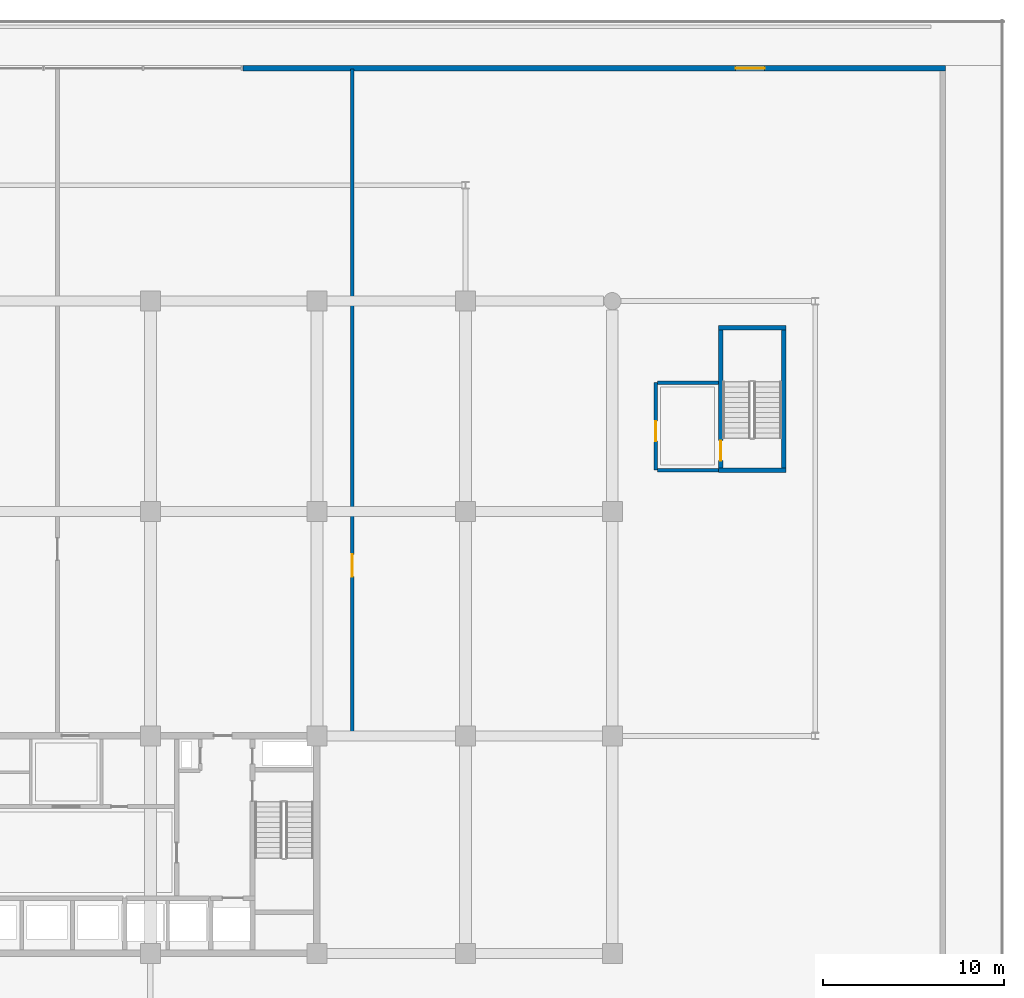
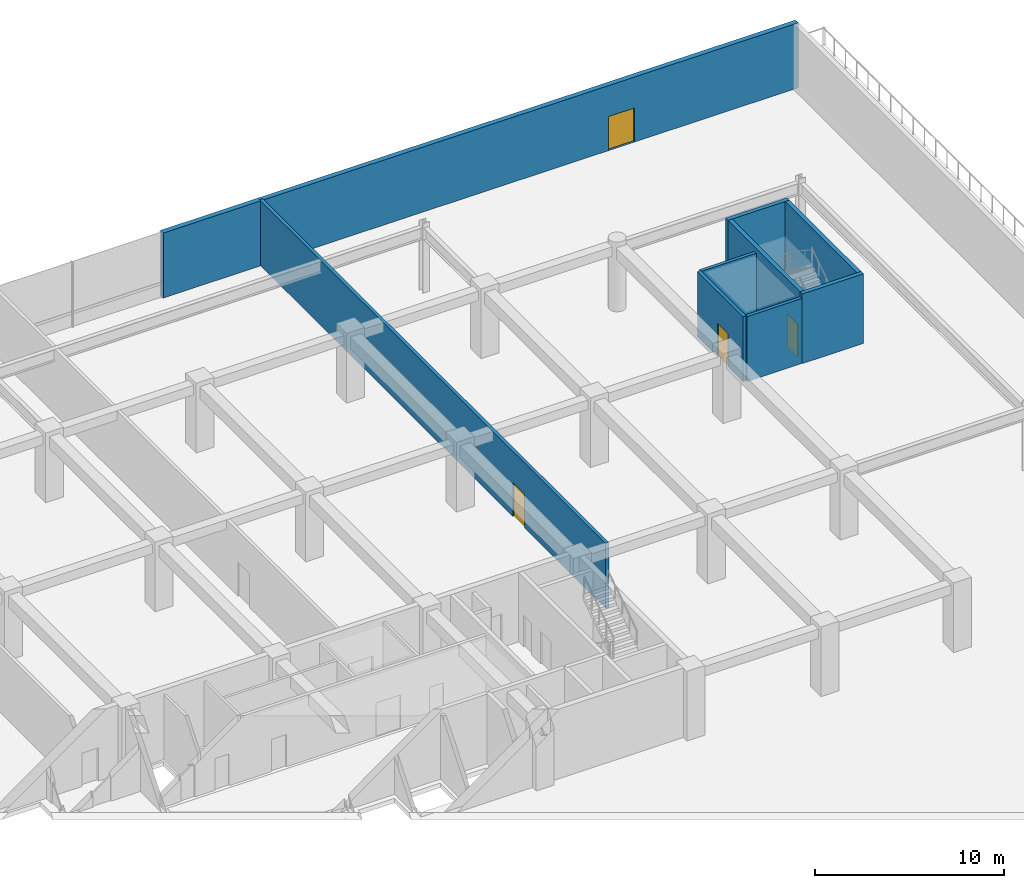
# One storey, part 29 of 43: 9 walls, 4 doors, 4 openings.
"""IFC4 building model written with IfcOpenShell, lengths in metres."""

from ifc_helpers import new_model, si_unit, direction, frame, frame_2d, origin, place, context, subcontext, project, spatial, rectangle, extrude, material, layer, layer_set, type_object, element, fill, save


model = new_model("IFC4")

# Units and contexts
model_context = context("Model", 3, precision=1e-05, world=origin(), true_north=direction((0.0, 1.0)))
body_context = subcontext(model_context, "Body", "Model", "MODEL_VIEW")
ifc_project = project(units=[si_unit("LENGTHUNIT", "METRE"), si_unit("AREAUNIT", "SQUARE_METRE"), si_unit("VOLUMEUNIT", "CUBIC_METRE"), si_unit("PLANEANGLEUNIT", "RADIAN"), si_unit("MASSUNIT", "GRAM", prefix="KILO")], contexts=[model_context])

# Site, building, storey
site_placement = place(None, origin())
site = spatial("IfcSite", under=ifc_project, at=site_placement, CompositionType="ELEMENT")
building_placement = place(site_placement, origin())
building = spatial("IfcBuilding", under=site, at=building_placement, Name="Korimba Cascade Residences", CompositionType="ELEMENT")
storey_placement = place(building_placement, frame((0.0, 0.0, 10.0)))
storey = spatial("IfcBuildingStorey", under=building, at=storey_placement, Name="L02", CompositionType="ELEMENT", Elevation=10.0)

# Wall, opening, door
ifc_material_1 = material(Name="Precast concrete C40/50", Category="concrete")
ifc_layer_1 = layer(ifc_material_1, 0.300048828125)
ifc_layer_set_1 = layer_set([ifc_layer_1], Name="Precast concrete C40/50")
wall_type_1 = type_object("IfcWallType", Name="EW-STONE-300", PredefinedType="STANDARD", material=ifc_layer_set_1)
wall_1_placement = place(storey_placement, frame((146.800048828125, 104.050048828125, 0.0), z_axis=(0.0, 0.0, 1.0), x_axis=(-1.0, 0.0, 0.0)))
wall_1 = element("IfcWall", 1, at=wall_1_placement, inside=storey, type_object=wall_type_1, Name="L02 North-East Podium Wall", PredefinedType="STANDARD", context=body_context, shape_type="SweptSolid", body=[
    extrude(rectangle(XDim=38.800048828125, YDim=0.300048828125, at=frame_2d((19.39990234375, 0.0))), origin(), (0.0, 0.0, 1.0), 4.199951171875),
])
opening_1_placement = place(wall_1_placement, frame((10.0, 0.0, 0.0)))
opening_1 = element("IfcOpeningElement", 2, at=opening_1_placement, cuts=wall_1, Name="Opening D-TR1", PredefinedType="OPENING", context=body_context, shape_type="SweptSolid", body=[
    extrude(rectangle(XDim=1.60009765625, YDim=2.199951171875, at=frame_2d((0.800048828125, 1.10009765625))), frame((0.0, 0.16015625, 0.0), z_axis=(0.0, -1.0, 0.0), x_axis=(1.0, 0.0, 0.0)), (0.0, 0.0, 1.0), 0.320068359375),
])
ifc_material_2 = material(Name="Glazed Aluminium Terrace Door", Category="aluminium")
door_type_1 = type_object("IfcDoorType", Name="DR-EXT-TER", OperationType="NOTDEFINED", PredefinedType="DOOR", material=ifc_material_2)
door_1_placement = place(opening_1_placement, frame((1.60009765625, 0.0, 0.0), z_axis=(0.0, 0.0, 1.0), x_axis=(-1.0, 0.0, 0.0)))
door_1 = element("IfcDoor", 3, at=door_1_placement, inside=storey, type_object=door_type_1, Name="L02 North Terrace Access Door", OperationType="DOUBLE_DOOR_SINGLE_SWING", OverallHeight=2.199951171875, OverallWidth=1.60009765625, PredefinedType="DOOR", context=body_context, shape_type="SweptSolid", body=[
    extrude(rectangle(XDim=1.60009765625, YDim=2.199951171875, at=frame_2d((0.800048828125, 1.10009765625))), frame((0.0, 0.02490234375, 0.0), z_axis=(0.0, -1.0, 0.0), x_axis=(1.0, 0.0, 0.0)), (0.0, 0.0, 1.0), 0.050048828125),
])
fill(opening_1, door_1)

ifc_material_3 = material(Name="Concrete C40/50", Category="concrete")
ifc_layer_2 = layer(ifc_material_3, 0.199951171875)
ifc_layer_set_2 = layer_set([ifc_layer_2], Name="Concrete C40/50")
wall_type_2 = type_object("IfcWallType", Name="WAL-PART-200", PredefinedType="PARTITIONING", material=ifc_layer_set_2)
wall_2_placement = place(storey_placement, frame((130.800048828125, 81.875, 0.0), z_axis=(0.0, 0.0, 1.0), x_axis=(0.0, 1.0, 0.0)))
wall_2 = element("IfcWall", 4, at=wall_2_placement, inside=storey, type_object=wall_type_2, Name="L02 Partition Wall CW-L02-PL4W", PredefinedType="PARTITIONING", context=body_context, shape_type="SweptSolid", body=[
    extrude(rectangle(XDim=4.824951171875, YDim=0.199951171875, at=frame_2d((2.41259765625, 0.0))), origin(), (0.0, 0.0, 1.0), 4.199951171875),
])
opening_2_placement = place(wall_2_placement, frame((1.60009765625, 0.0, 0.0)))
opening_2 = element("IfcOpeningElement", 5, at=opening_2_placement, cuts=wall_2, Name="Opening D-FD6", PredefinedType="OPENING", context=body_context, shape_type="SweptSolid", body=[
    extrude(rectangle(XDim=1.10009765625, YDim=2.14990234375, at=frame_2d((0.550048828125, 1.074951171875))), frame((0.0, 0.10986328125, 0.0), z_axis=(0.0, -1.0, 0.0), x_axis=(1.0, 0.0, 0.0)), (0.0, 0.0, 1.0), 0.219970703125),
])
ifc_material_4 = material(Name="Fire-Rated Timber Stair Lobby Door", Category="wood")
door_type_2 = type_object("IfcDoorType", Name="DR-FD90-1100", OperationType="NOTDEFINED", PredefinedType="DOOR", material=ifc_material_4)
door_2_placement = place(opening_2_placement, origin())
door_2 = element("IfcDoor", 6, at=door_2_placement, inside=storey, type_object=door_type_2, Name="L02 North-East Stair Vestibule Door", OperationType="SINGLE_SWING_LEFT", OverallHeight=2.14990234375, OverallWidth=1.10009765625, PredefinedType="DOOR", context=body_context, shape_type="SweptSolid", body=[
    extrude(rectangle(XDim=1.10009765625, YDim=2.14990234375, at=frame_2d((0.550048828125, 1.074951171875))), frame((0.0, 0.02490234375, 0.0), z_axis=(0.0, -1.0, 0.0), x_axis=(1.0, 0.0, 0.0)), (0.0, 0.0, 1.0), 0.050048828125),
])
fill(opening_2, door_2)

# Walls
for number, where, z_axis, x_axis, name in (
    (7, (130.89990234375, 81.875, 0.0), (0.0, 0.0, 1.0), (1.0, 0.0, 0.0), "L02 Partition Wall CW-L02-PL4S"),
    (8, (130.89990234375, 86.699951171875, 0.0), (0.0, 0.0, 1.0), (1.0, 0.0, 0.0), "L02 Partition Wall CW-L02-PL4N"),
):
    element("IfcWall", number, at=place(storey_placement, frame(where, z_axis=z_axis, x_axis=x_axis)), inside=storey, type_object=wall_type_2, Name=name, PredefinedType="PARTITIONING", context=body_context, shape_type="SweptSolid", body=[
        extrude(rectangle(XDim=3.35009765625, YDim=0.199951171875, at=frame_2d((1.675048828125, 0.0))), origin(), (0.0, 0.0, 1.0), 4.199951171875),
    ])

# Wall, opening, door
wall_3_placement = place(storey_placement, frame((114.044921875, 67.39990234375, 0.0), z_axis=(0.0, 0.0, 1.0), x_axis=(0.0, 1.0, 0.0)))
wall_3 = element("IfcWall", 9, at=wall_3_placement, inside=storey, type_object=wall_type_2, Name="L02 Partition Wall WAL-L02-NDIV3", PredefinedType="PARTITIONING", context=body_context, shape_type="SweptSolid", body=[
    extrude(rectangle(XDim=36.6201171875, YDim=0.199951171875, at=frame_2d((18.31005859375, 0.0))), origin(), (0.0, 0.0, 1.0), 4.199951171875),
])
opening_3_placement = place(wall_3_placement, frame((8.60009765625, 0.0, 0.0)))
opening_3 = element("IfcOpeningElement", 10, at=opening_3_placement, cuts=wall_3, Name="Opening D-AM1", PredefinedType="OPENING", context=body_context, shape_type="SweptSolid", body=[
    extrude(rectangle(XDim=1.219970703125, YDim=2.179931640625, at=frame_2d((0.60986328125, 1.08984375))), frame((0.0, 0.10986328125, 0.0), z_axis=(0.0, -1.0, 0.0), x_axis=(1.0, 0.0, 0.0)), (0.0, 0.0, 1.0), 0.219970703125),
])
ifc_material_5 = material(Name="Fire-Rated Glazed Timber Suite Door", Category="wood")
door_type_3 = type_object("IfcDoorType", Name="DR-FD60-1200", OperationType="NOTDEFINED", PredefinedType="DOOR", material=ifc_material_5)
door_3_placement = place(opening_3_placement, origin())
door_3 = element("IfcDoor", 11, at=door_3_placement, inside=storey, type_object=door_type_3, Name="L02 North Podium Link Door 3", OperationType="SINGLE_SWING_RIGHT", OverallHeight=2.179931640625, OverallWidth=1.219970703125, PredefinedType="DOOR", context=body_context, shape_type="SweptSolid", body=[
    extrude(rectangle(XDim=1.219970703125, YDim=2.179931640625, at=frame_2d((0.60986328125, 1.08984375))), frame((0.0, 0.02490234375, 0.0), z_axis=(0.0, -1.0, 0.0), x_axis=(1.0, 0.0, 0.0)), (0.0, 0.0, 1.0), 0.050048828125),
])
fill(opening_3, door_3)

ifc_material_6 = material(Name="Concrete C50/60", Category="concrete")
ifc_layer_3 = layer(ifc_material_6, 0.25)
ifc_layer_set_3 = layer_set([ifc_layer_3], Name="Concrete C50/60")
wall_type_3 = type_object("IfcWallType", Name="WAL-SHAFT-250", PredefinedType="SHEAR", material=ifc_layer_set_3)
wall_4_placement = place(storey_placement, frame((134.375, 82.0, 0.0), z_axis=(0.0, 0.0, 1.0), x_axis=(0.0, 1.0, 0.0)))
wall_4 = element("IfcWall", 12, at=wall_4_placement, inside=storey, type_object=wall_type_3, Name="L02 Core Shear Wall CW-L02-STP4W", PredefinedType="SHEAR", context=body_context, shape_type="SweptSolid", body=[
    extrude(rectangle(XDim=7.60009765625, YDim=0.25, at=frame_2d((3.800048828125, 0.0))), origin(), (0.0, 0.0, 1.0), 4.5),
])
opening_4_placement = place(wall_4_placement, frame((0.39990234375, 0.0, 0.0)))
opening_4 = element("IfcOpeningElement", 13, at=opening_4_placement, cuts=wall_4, Name="Opening D-FD1", PredefinedType="OPENING", context=body_context, shape_type="SweptSolid", body=[
    extrude(rectangle(XDim=1.10009765625, YDim=2.10009765625, at=frame_2d((0.550048828125, 1.050048828125))), frame((0.0, 0.135009765625, 0.0), z_axis=(0.0, -1.0, 0.0), x_axis=(1.0, 0.0, 0.0)), (0.0, 0.0, 1.0), 0.27001953125),
])
ifc_material_7 = material(Name="Fire-Rated Steel Core Door", Category="steel")
door_type_4 = type_object("IfcDoorType", Name="DR-FD120-1100", OperationType="NOTDEFINED", PredefinedType="DOOR", material=ifc_material_7)
door_4_placement = place(opening_4_placement, origin())
door_4 = element("IfcDoor", 14, at=door_4_placement, inside=storey, type_object=door_type_4, Name="L02 Podium Stair ST-P4 Door", OperationType="SINGLE_SWING_RIGHT", OverallHeight=2.10009765625, OverallWidth=1.10009765625, PredefinedType="DOOR", context=body_context, shape_type="SweptSolid", body=[
    extrude(rectangle(XDim=1.10009765625, YDim=2.10009765625, at=frame_2d((0.550048828125, 1.050048828125))), frame((0.0, 0.02490234375, 0.0), z_axis=(0.0, -1.0, 0.0), x_axis=(1.0, 0.0, 0.0)), (0.0, 0.0, 1.0), 0.050048828125),
])
fill(opening_4, door_4)

# Walls
wall_5_placement = place(storey_placement, frame((137.864990234375, 82.0, 0.0), z_axis=(0.0, 0.0, 1.0), x_axis=(0.0, 1.0, 0.0)))
element("IfcWall", 15, at=wall_5_placement, inside=storey, type_object=wall_type_3, Name="L02 Core Shear Wall CW-L02-STP4E", PredefinedType="SHEAR", context=body_context, shape_type="SweptSolid", body=[
    extrude(rectangle(XDim=7.60009765625, YDim=0.25, at=frame_2d((3.800048828125, 0.0))), origin(), (0.0, 0.0, 1.0), 4.5),
])
for number, where, z_axis, x_axis, name in (
    (16, (134.25, 81.875, 0.0), (0.0, 0.0, 1.0), (1.0, 0.0, 0.0), "L02 Core Shear Wall CW-L02-STP4S"),
    (17, (134.25, 89.72509765625, 0.0), (0.0, 0.0, 1.0), (1.0, 0.0, 0.0), "L02 Core Shear Wall CW-L02-STP4N"),
):
    element("IfcWall", number, at=place(storey_placement, frame(where, z_axis=z_axis, x_axis=x_axis)), inside=storey, type_object=wall_type_3, Name=name, PredefinedType="SHEAR", context=body_context, shape_type="SweptSolid", body=[
        extrude(rectangle(XDim=3.739990234375, YDim=0.25, at=frame_2d((1.8701171875, 0.0))), origin(), (0.0, 0.0, 1.0), 4.5),
    ])

save(model, "model.ifc")
